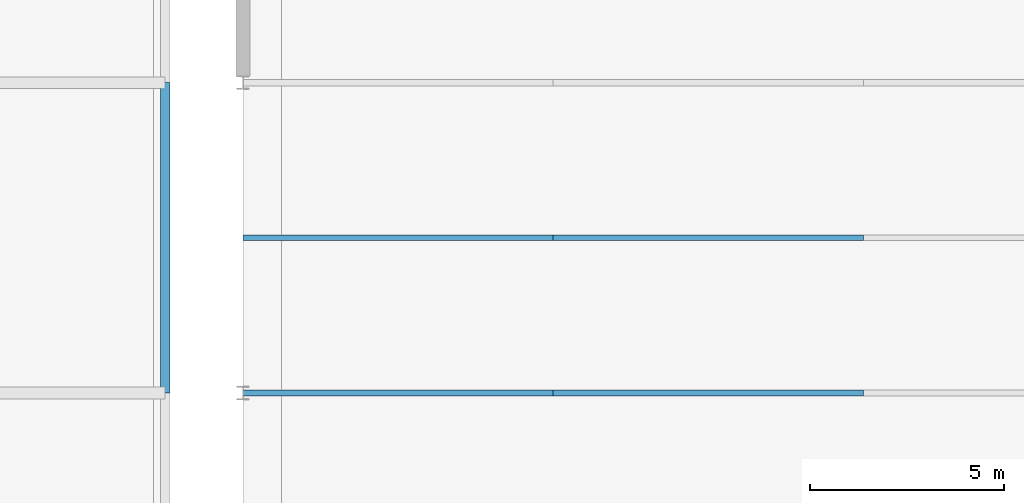
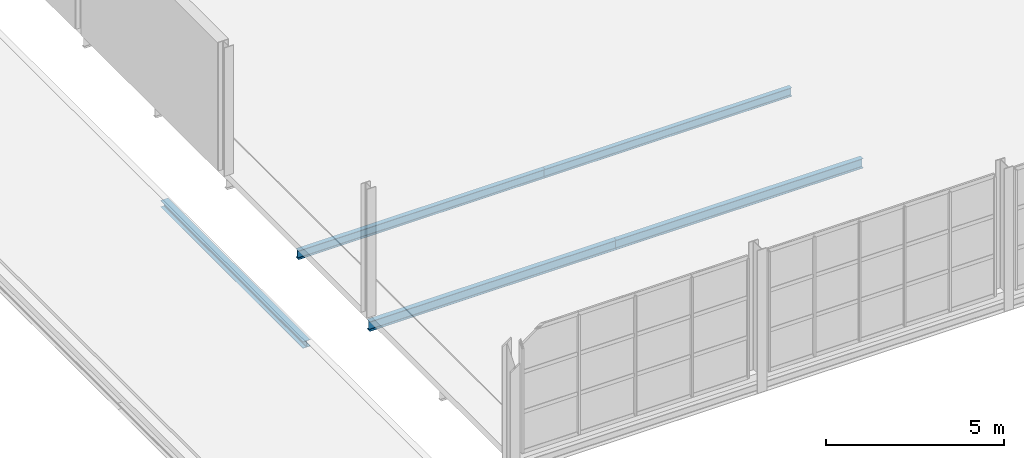
# One storey, part 68 of 153: 5 beams.
"""IFC4 building model written with IfcOpenShell, lengths in metres."""

from ifc_helpers import new_model, si_unit, derived_unit, direction, frame, origin, origin_2d, place, context, subcontext, project, spatial, i_section, extrude, material, material_profile, profile_set, type_object, element, save


model = new_model("IFC4")

# Units and contexts
model_context = context("Model", 3, precision=1e-05, world=origin(), true_north=direction((0.0, 1.0)))
body_context = subcontext(model_context, "Body", "Model", "MODEL_VIEW")
ifc_project = project(units=[si_unit("LENGTHUNIT", "METRE"), si_unit("AREAUNIT", "SQUARE_METRE"), si_unit("VOLUMEUNIT", "CUBIC_METRE"), si_unit("PLANEANGLEUNIT", "RADIAN"), si_unit("MASSUNIT", "GRAM", prefix="KILO"), derived_unit("THERMALTRANSMITTANCEUNIT", [(si_unit("POWERUNIT", "WATT"), 1), (si_unit("LENGTHUNIT", "METRE"), -2), (si_unit("THERMODYNAMICTEMPERATUREUNIT", "KELVIN"), -1)])], contexts=[model_context])

# Site, building, storey
site_placement = place(None, origin())
site = spatial("IfcSite", under=ifc_project, at=site_placement, CompositionType="ELEMENT")
building_placement = place(site_placement, origin())
building = spatial("IfcBuilding", under=site, at=building_placement, Name="Keldorne Ridge Multi-Sports Centre", CompositionType="ELEMENT")
storey_placement = place(building_placement, frame((0.0, 0.0, 9.60009765625)))
storey = spatial("IfcBuildingStorey", under=building, at=storey_placement, Name="L02", CompositionType="ELEMENT", Elevation=9.60009765625)

# Beams
ifc_material = material(Name="Steel S355", Category="steel")
ifc_material_profile_1 = material_profile(ifc_material, i_section(OverallWidth=0.159912109375, OverallDepth=0.330078125, WebThickness=0.007568359375, FlangeThickness=0.011474609375, FilletRadius=0.01806640625, at=origin_2d()), Name="IPE 330")
ifc_profile_set_1 = profile_set([ifc_material_profile_1], Name="Steel S355")
beam_type_1 = type_object("IfcBeamType", Name="BM-J-01", PredefinedType="JOIST", material=ifc_profile_set_1)
for number, where, z_axis, x_axis, name in (
    (1, (104.0, 14.0, -0.405029296875), (1.0, 0.0, 0.0), (0.0, 1.0, 0.0), "L02 Stacked Courts beam 1.3"),
    (2, (112.0, 14.0, -0.405029296875), (1.0, 0.0, 0.0), (0.0, 1.0, 0.0), "L02 Stacked Courts beam 2.3"),
):
    element("IfcBeam", number, at=place(storey_placement, frame(where, z_axis=z_axis, x_axis=x_axis)), inside=storey, type_object=beam_type_1, Name=name, PredefinedType="JOIST", context=body_context, shape_type="SweptSolid", body=[
        extrude(i_section(OverallWidth=0.159912109375, OverallDepth=0.330078125, WebThickness=0.007568359375, FlangeThickness=0.011474609375, FilletRadius=0.01806640625, at=origin_2d()), origin(), (0.0, 0.0, 1.0), 8.0),
    ])
ifc_material_profile_2 = material_profile(ifc_material, i_section(OverallWidth=0.14990234375, OverallDepth=0.300048828125, WebThickness=0.007080078125, FlangeThickness=0.0107421875, FilletRadius=0.014892578125, at=origin_2d()), Name="IPE 300")
ifc_profile_set_2 = profile_set([ifc_material_profile_2], Name="Steel S355")
beam_type_2 = type_object("IfcBeamType", Name="BM-J-02", PredefinedType="JOIST", material=ifc_profile_set_2)
for number, where, z_axis, x_axis, name in (
    (3, (104.0, 18.0, -0.39013671875), (1.0, 0.0, 0.0), (0.0, 1.0, 0.0), "L02 Stacked Courts beam 1.4"),
    (4, (112.0, 18.0, -0.39013671875), (1.0, 0.0, 0.0), (0.0, 1.0, 0.0), "L02 Stacked Courts beam 2.4"),
):
    element("IfcBeam", number, at=place(storey_placement, frame(where, z_axis=z_axis, x_axis=x_axis)), inside=storey, type_object=beam_type_2, Name=name, PredefinedType="JOIST", context=body_context, shape_type="SweptSolid", body=[
        extrude(i_section(OverallWidth=0.14990234375, OverallDepth=0.300048828125, WebThickness=0.007080078125, FlangeThickness=0.0107421875, FilletRadius=0.014892578125, at=origin_2d()), origin(), (0.0, 0.0, 1.0), 8.0),
    ])
ifc_material_profile_3 = material_profile(ifc_material, i_section(OverallWidth=0.239990234375, OverallDepth=0.22998046875, WebThickness=0.007568359375, FlangeThickness=0.011962890625, FilletRadius=0.02099609375, at=origin_2d()), Name="HEA 240")
ifc_profile_set_3 = profile_set([ifc_material_profile_3], Name="Steel S355")
beam_type_3 = type_object("IfcBeamType", Name="BM-SP-05", PredefinedType="SPANDREL", material=ifc_profile_set_3)
beam_placement = place(storey_placement, frame((102.0, 14.0, -0.34521484375), z_axis=(0.0, 1.0, 0.0), x_axis=(-1.0, 0.0, 0.0)))
element("IfcBeam", 5, at=beam_placement, inside=storey, type_object=beam_type_3, Name="L02 passage roof beam G15.2", PredefinedType="SPANDREL", context=body_context, shape_type="SweptSolid", body=[
    extrude(i_section(OverallWidth=0.239990234375, OverallDepth=0.22998046875, WebThickness=0.007568359375, FlangeThickness=0.011962890625, FilletRadius=0.02099609375, at=origin_2d()), origin(), (0.0, 0.0, 1.0), 8.0),
])

save(model, "model.ifc")
